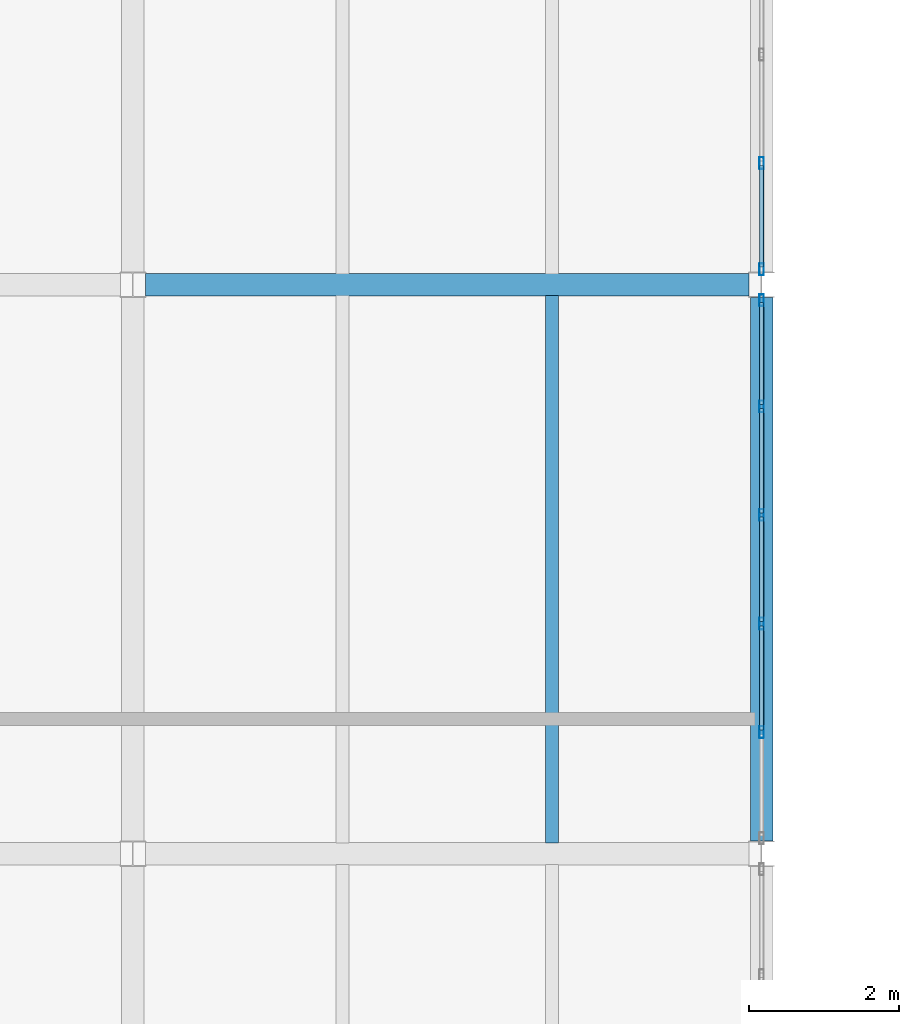
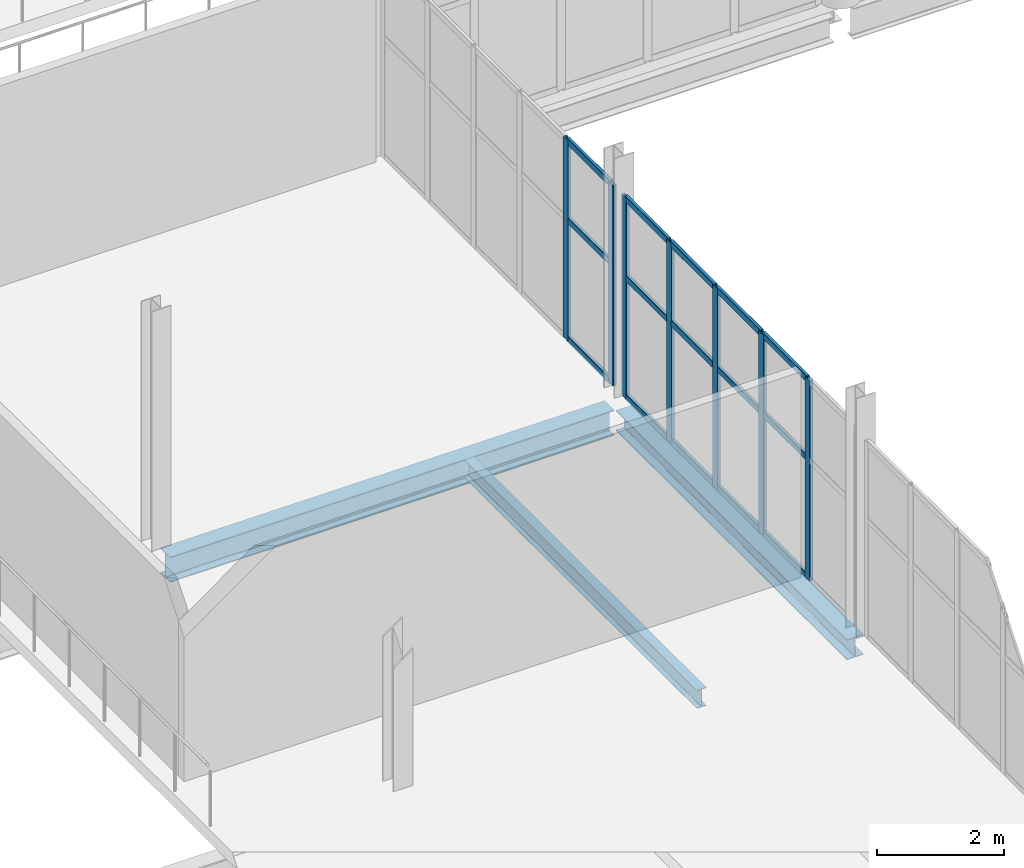
# One storey, part 28 of 136: 22 members, 3 beams, 2 elements without a shape of their own.
"""IFC4 building model written with IfcOpenShell, lengths in metres."""

from ifc_helpers import new_model, si_unit, direction, frame, origin, origin_2d, place, context, subcontext, project, spatial, hollow_rectangle, i_section, extrude, material, material_profile, profile_set, type_object, element, aggregate, save


model = new_model("IFC4")

# Units and contexts
model_context = context("Model", 3, precision=1e-05, world=origin(), true_north=direction((0.0, 1.0)))
body_context = subcontext(model_context, "Body", "Model", "MODEL_VIEW")
ifc_project = project(units=[si_unit("LENGTHUNIT", "METRE"), si_unit("AREAUNIT", "SQUARE_METRE"), si_unit("VOLUMEUNIT", "CUBIC_METRE"), si_unit("PLANEANGLEUNIT", "RADIAN"), si_unit("MASSUNIT", "GRAM", prefix="KILO")], contexts=[model_context])

# Site, building, storey
site_placement = place(None, origin())
site = spatial("IfcSite", under=ifc_project, at=site_placement, CompositionType="ELEMENT")
building_placement = place(site_placement, origin())
building = spatial("IfcBuilding", under=site, at=building_placement, Name="Shengluoqiao Park Theatre", CompositionType="ELEMENT")
storey_placement = place(building_placement, frame((0.0, 0.0, 10.0)))
storey = spatial("IfcBuildingStorey", under=building, at=storey_placement, Name="L02", CompositionType="ELEMENT", Elevation=10.0)

# Curtain wall, members
ifc_material_1 = material(Name="Aluminium 6063-T6", Category="aluminium")
curtain_wall_type = type_object("IfcCurtainWallType", Name="ENV-CW-COURT", PredefinedType="NOTDEFINED", material=ifc_material_1)
curtain_wall_1_placement = place(storey_placement, origin())
curtain_wall_1 = element("IfcCurtainWall", 1, at=curtain_wall_1_placement, inside=storey, type_object=curtain_wall_type, Name="L02 Curtain Wall CWX-L02-0028", PredefinedType="NOTDEFINED")
ifc_material_profile_1 = material_profile(ifc_material_1, hollow_rectangle(XDim=0.06005859375, YDim=0.159912109375, WallThickness=0.00390625, InnerFilletRadius=0.00390625, OuterFilletRadius=0.008056640625, at=origin_2d()), Name="ALU MULLION 160x60x4")
ifc_profile_set_1 = profile_set([ifc_material_profile_1], Name="Aluminium 6063-T6")
member_type_1 = type_object("IfcMemberType", Name="ENV-MUL-160", PredefinedType="MULLION", material=ifc_profile_set_1)
member_1_placement = place(storey_placement, frame((36.0, 39.62548828125, 0.0), z_axis=(0.0, 0.0, 1.0), x_axis=(-1.0, 0.0, 0.0)))
member_1 = element("IfcMember", 2, at=member_1_placement, type_object=member_type_1, Name="CW-05 mullion 2", PredefinedType="MULLION", context=body_context, shape_type="SweptSolid", body=[
    extrude(hollow_rectangle(XDim=0.06005859375, YDim=0.159912109375, WallThickness=0.00390625, InnerFilletRadius=0.00390625, OuterFilletRadius=0.008056640625, at=origin_2d()), origin(), (0.0, 0.0, 1.0), 3.85009765625),
])
member_2_placement = place(storey_placement, frame((36.0, 41.0751953125, 0.0), z_axis=(0.0, 0.0, 1.0), x_axis=(-1.0, 0.0, 0.0)))
member_2 = element("IfcMember", 3, at=member_2_placement, type_object=member_type_1, Name="CW-05 mullion 3", PredefinedType="MULLION", context=body_context, shape_type="SweptSolid", body=[
    extrude(hollow_rectangle(XDim=0.06005859375, YDim=0.159912109375, WallThickness=0.00390625, InnerFilletRadius=0.00390625, OuterFilletRadius=0.008056640625, at=origin_2d()), origin(), (0.0, 0.0, 1.0), 3.85009765625),
])
member_3_placement = place(storey_placement, frame((36.0, 42.52490234375, 0.0), z_axis=(0.0, 0.0, 1.0), x_axis=(-1.0, 0.0, 0.0)))
member_3 = element("IfcMember", 4, at=member_3_placement, type_object=member_type_1, Name="CW-05 mullion 4", PredefinedType="MULLION", context=body_context, shape_type="SweptSolid", body=[
    extrude(hollow_rectangle(XDim=0.06005859375, YDim=0.159912109375, WallThickness=0.00390625, InnerFilletRadius=0.00390625, OuterFilletRadius=0.008056640625, at=origin_2d()), origin(), (0.0, 0.0, 1.0), 3.85009765625),
])
member_4_placement = place(storey_placement, frame((36.0, 43.974365234375, 0.0), z_axis=(0.0, 0.0, 1.0), x_axis=(-1.0, 0.0, 0.0)))
member_4 = element("IfcMember", 5, at=member_4_placement, type_object=member_type_1, Name="CW-05 mullion 5", PredefinedType="MULLION", context=body_context, shape_type="SweptSolid", body=[
    extrude(hollow_rectangle(XDim=0.06005859375, YDim=0.159912109375, WallThickness=0.00390625, InnerFilletRadius=0.00390625, OuterFilletRadius=0.008056640625, at=origin_2d()), origin(), (0.0, 0.0, 1.0), 3.85009765625),
])
member_5_placement = place(storey_placement, frame((36.0, 45.39404296875, 0.0), z_axis=(0.0, 0.0, 1.0), x_axis=(-1.0, 0.0, 0.0)))
member_5 = element("IfcMember", 6, at=member_5_placement, type_object=member_type_1, Name="CW-05 mullion 6", PredefinedType="MULLION", context=body_context, shape_type="SweptSolid", body=[
    extrude(hollow_rectangle(XDim=0.06005859375, YDim=0.159912109375, WallThickness=0.00390625, InnerFilletRadius=0.00390625, OuterFilletRadius=0.008056640625, at=origin_2d()), origin(), (0.0, 0.0, 1.0), 3.85009765625),
])

curtain_wall_2_placement = place(storey_placement, origin())
curtain_wall_2 = element("IfcCurtainWall", 7, at=curtain_wall_2_placement, inside=storey, type_object=curtain_wall_type, Name="L02 Curtain Wall CWX-L02-0029", PredefinedType="NOTDEFINED")
member_6_placement = place(storey_placement, frame((36.0, 45.805908203125, 0.0), z_axis=(0.0, 0.0, 1.0), x_axis=(-1.0, 0.0, 0.0)))
member_6 = element("IfcMember", 8, at=member_6_placement, type_object=member_type_1, Name="CW-05 mullion 1", PredefinedType="MULLION", context=body_context, shape_type="SweptSolid", body=[
    extrude(hollow_rectangle(XDim=0.06005859375, YDim=0.159912109375, WallThickness=0.00390625, InnerFilletRadius=0.00390625, OuterFilletRadius=0.008056640625, at=origin_2d()), origin(), (0.0, 0.0, 1.0), 3.85009765625),
])
member_7_placement = place(storey_placement, frame((36.0, 47.2255859375, 0.0), z_axis=(0.0, 0.0, 1.0), x_axis=(-1.0, 0.0, 0.0)))
member_7 = element("IfcMember", 9, at=member_7_placement, type_object=member_type_1, Name="CW-05 mullion 2", PredefinedType="MULLION", context=body_context, shape_type="SweptSolid", body=[
    extrude(hollow_rectangle(XDim=0.06005859375, YDim=0.159912109375, WallThickness=0.00390625, InnerFilletRadius=0.00390625, OuterFilletRadius=0.008056640625, at=origin_2d()), origin(), (0.0, 0.0, 1.0), 3.85009765625),
])

# Member
ifc_material_profile_2 = material_profile(ifc_material_1, hollow_rectangle(XDim=0.06005859375, YDim=0.1201171875, WallThickness=0.00390625, InnerFilletRadius=0.00390625, OuterFilletRadius=0.008056640625, at=origin_2d()), Name="ALU TRANSOM 120x60x4")
ifc_profile_set_2 = profile_set([ifc_material_profile_2], Name="Aluminium 6063-T6")
member_type_2 = type_object("IfcMemberType", Name="ENV-TRN-120", PredefinedType="USERDEFINED", material=ifc_profile_set_2)
member_8_placement = place(storey_placement, frame((36.0, 39.655517578125, 0.030029296875), z_axis=(0.0, 1.0, 0.0), x_axis=(-1.0, 0.0, 0.0)))
member_8 = element("IfcMember", 10, at=member_8_placement, type_object=member_type_2, Name="CW-05 transom 2.1", ObjectType="TRANSOM", PredefinedType="USERDEFINED", context=body_context, shape_type="SweptSolid", body=[
    extrude(hollow_rectangle(XDim=0.06005859375, YDim=0.1201171875, WallThickness=0.00390625, InnerFilletRadius=0.00390625, OuterFilletRadius=0.008056640625, at=origin_2d()), origin(), (0.0, 0.0, 1.0), 1.3896484375),
])

member_9_placement = place(storey_placement, frame((36.0, 39.655517578125, 2.31005859375), z_axis=(0.0, 1.0, 0.0), x_axis=(-1.0, 0.0, 0.0)))
member_9 = element("IfcMember", 11, at=member_9_placement, type_object=member_type_2, Name="CW-05 transom 2.2", ObjectType="TRANSOM", PredefinedType="USERDEFINED", context=body_context, shape_type="SweptSolid", body=[
    extrude(hollow_rectangle(XDim=0.06005859375, YDim=0.1201171875, WallThickness=0.00390625, InnerFilletRadius=0.00390625, OuterFilletRadius=0.008056640625, at=origin_2d()), origin(), (0.0, 0.0, 1.0), 1.3896484375),
])

member_10_placement = place(storey_placement, frame((36.0, 39.655517578125, 3.820068359375), z_axis=(0.0, 1.0, 0.0), x_axis=(-1.0, 0.0, 0.0)))
member_10 = element("IfcMember", 12, at=member_10_placement, type_object=member_type_2, Name="CW-05 transom 2.3", ObjectType="TRANSOM", PredefinedType="USERDEFINED", context=body_context, shape_type="SweptSolid", body=[
    extrude(hollow_rectangle(XDim=0.06005859375, YDim=0.1201171875, WallThickness=0.00390625, InnerFilletRadius=0.00390625, OuterFilletRadius=0.008056640625, at=origin_2d()), origin(), (0.0, 0.0, 1.0), 1.3896484375),
])

member_11_placement = place(storey_placement, frame((36.0, 41.105224609375, 0.030029296875), z_axis=(0.0, 1.0, 0.0), x_axis=(-1.0, 0.0, 0.0)))
member_11 = element("IfcMember", 13, at=member_11_placement, type_object=member_type_2, Name="CW-05 transom 3.1", ObjectType="TRANSOM", PredefinedType="USERDEFINED", context=body_context, shape_type="SweptSolid", body=[
    extrude(hollow_rectangle(XDim=0.06005859375, YDim=0.1201171875, WallThickness=0.00390625, InnerFilletRadius=0.00390625, OuterFilletRadius=0.008056640625, at=origin_2d()), origin(), (0.0, 0.0, 1.0), 1.3896484375),
])

member_12_placement = place(storey_placement, frame((36.0, 41.105224609375, 2.31005859375), z_axis=(0.0, 1.0, 0.0), x_axis=(-1.0, 0.0, 0.0)))
member_12 = element("IfcMember", 14, at=member_12_placement, type_object=member_type_2, Name="CW-05 transom 3.2", ObjectType="TRANSOM", PredefinedType="USERDEFINED", context=body_context, shape_type="SweptSolid", body=[
    extrude(hollow_rectangle(XDim=0.06005859375, YDim=0.1201171875, WallThickness=0.00390625, InnerFilletRadius=0.00390625, OuterFilletRadius=0.008056640625, at=origin_2d()), origin(), (0.0, 0.0, 1.0), 1.3896484375),
])

member_13_placement = place(storey_placement, frame((36.0, 41.105224609375, 3.820068359375), z_axis=(0.0, 1.0, 0.0), x_axis=(-1.0, 0.0, 0.0)))
member_13 = element("IfcMember", 15, at=member_13_placement, type_object=member_type_2, Name="CW-05 transom 3.3", ObjectType="TRANSOM", PredefinedType="USERDEFINED", context=body_context, shape_type="SweptSolid", body=[
    extrude(hollow_rectangle(XDim=0.06005859375, YDim=0.1201171875, WallThickness=0.00390625, InnerFilletRadius=0.00390625, OuterFilletRadius=0.008056640625, at=origin_2d()), origin(), (0.0, 0.0, 1.0), 1.3896484375),
])

member_14_placement = place(storey_placement, frame((36.0, 42.5546875, 0.030029296875), z_axis=(0.0, 1.0, 0.0), x_axis=(-1.0, 0.0, 0.0)))
member_14 = element("IfcMember", 16, at=member_14_placement, type_object=member_type_2, Name="CW-05 transom 4.1", ObjectType="TRANSOM", PredefinedType="USERDEFINED", context=body_context, shape_type="SweptSolid", body=[
    extrude(hollow_rectangle(XDim=0.06005859375, YDim=0.1201171875, WallThickness=0.00390625, InnerFilletRadius=0.00390625, OuterFilletRadius=0.008056640625, at=origin_2d()), origin(), (0.0, 0.0, 1.0), 1.3896484375),
])

member_15_placement = place(storey_placement, frame((36.0, 42.5546875, 2.31005859375), z_axis=(0.0, 1.0, 0.0), x_axis=(-1.0, 0.0, 0.0)))
member_15 = element("IfcMember", 17, at=member_15_placement, type_object=member_type_2, Name="CW-05 transom 4.2", ObjectType="TRANSOM", PredefinedType="USERDEFINED", context=body_context, shape_type="SweptSolid", body=[
    extrude(hollow_rectangle(XDim=0.06005859375, YDim=0.1201171875, WallThickness=0.00390625, InnerFilletRadius=0.00390625, OuterFilletRadius=0.008056640625, at=origin_2d()), origin(), (0.0, 0.0, 1.0), 1.3896484375),
])

member_16_placement = place(storey_placement, frame((36.0, 42.5546875, 3.820068359375), z_axis=(0.0, 1.0, 0.0), x_axis=(-1.0, 0.0, 0.0)))
member_16 = element("IfcMember", 18, at=member_16_placement, type_object=member_type_2, Name="CW-05 transom 4.3", ObjectType="TRANSOM", PredefinedType="USERDEFINED", context=body_context, shape_type="SweptSolid", body=[
    extrude(hollow_rectangle(XDim=0.06005859375, YDim=0.1201171875, WallThickness=0.00390625, InnerFilletRadius=0.00390625, OuterFilletRadius=0.008056640625, at=origin_2d()), origin(), (0.0, 0.0, 1.0), 1.3896484375),
])

member_17_placement = place(storey_placement, frame((36.0, 44.00439453125, 0.030029296875), z_axis=(0.0, 1.0, 0.0), x_axis=(-1.0, 0.0, 0.0)))
member_17 = element("IfcMember", 19, at=member_17_placement, type_object=member_type_2, Name="CW-05 transom 5.1", ObjectType="TRANSOM", PredefinedType="USERDEFINED", context=body_context, shape_type="SweptSolid", body=[
    extrude(hollow_rectangle(XDim=0.06005859375, YDim=0.1201171875, WallThickness=0.00390625, InnerFilletRadius=0.00390625, OuterFilletRadius=0.008056640625, at=origin_2d()), origin(), (0.0, 0.0, 1.0), 1.359619140625),
])

member_18_placement = place(storey_placement, frame((36.0, 44.00439453125, 2.31005859375), z_axis=(0.0, 1.0, 0.0), x_axis=(-1.0, 0.0, 0.0)))
member_18 = element("IfcMember", 20, at=member_18_placement, type_object=member_type_2, Name="CW-05 transom 5.2", ObjectType="TRANSOM", PredefinedType="USERDEFINED", context=body_context, shape_type="SweptSolid", body=[
    extrude(hollow_rectangle(XDim=0.06005859375, YDim=0.1201171875, WallThickness=0.00390625, InnerFilletRadius=0.00390625, OuterFilletRadius=0.008056640625, at=origin_2d()), origin(), (0.0, 0.0, 1.0), 1.359619140625),
])

member_19_placement = place(storey_placement, frame((36.0, 44.00439453125, 3.820068359375), z_axis=(0.0, 1.0, 0.0), x_axis=(-1.0, 0.0, 0.0)))
member_19 = element("IfcMember", 21, at=member_19_placement, type_object=member_type_2, Name="CW-05 transom 5.3", ObjectType="TRANSOM", PredefinedType="USERDEFINED", context=body_context, shape_type="SweptSolid", body=[
    extrude(hollow_rectangle(XDim=0.06005859375, YDim=0.1201171875, WallThickness=0.00390625, InnerFilletRadius=0.00390625, OuterFilletRadius=0.008056640625, at=origin_2d()), origin(), (0.0, 0.0, 1.0), 1.359619140625),
])

aggregate(curtain_wall_1, [member_1, member_2, member_3, member_4, member_5, member_8, member_9, member_10, member_11, member_12, member_13, member_14, member_15, member_16, member_17, member_18, member_19])

member_20_placement = place(storey_placement, frame((36.0, 45.8359375, 0.030029296875), z_axis=(0.0, 1.0, 0.0), x_axis=(-1.0, 0.0, 0.0)))
member_20 = element("IfcMember", 22, at=member_20_placement, type_object=member_type_2, Name="CW-05 transom 1.1", ObjectType="TRANSOM", PredefinedType="USERDEFINED", context=body_context, shape_type="SweptSolid", body=[
    extrude(hollow_rectangle(XDim=0.06005859375, YDim=0.1201171875, WallThickness=0.00390625, InnerFilletRadius=0.00390625, OuterFilletRadius=0.008056640625, at=origin_2d()), origin(), (0.0, 0.0, 1.0), 1.359619140625),
])

member_21_placement = place(storey_placement, frame((36.0, 45.8359375, 2.31005859375), z_axis=(0.0, 1.0, 0.0), x_axis=(-1.0, 0.0, 0.0)))
member_21 = element("IfcMember", 23, at=member_21_placement, type_object=member_type_2, Name="CW-05 transom 1.2", ObjectType="TRANSOM", PredefinedType="USERDEFINED", context=body_context, shape_type="SweptSolid", body=[
    extrude(hollow_rectangle(XDim=0.06005859375, YDim=0.1201171875, WallThickness=0.00390625, InnerFilletRadius=0.00390625, OuterFilletRadius=0.008056640625, at=origin_2d()), origin(), (0.0, 0.0, 1.0), 1.359619140625),
])

member_22_placement = place(storey_placement, frame((36.0, 45.8359375, 3.820068359375), z_axis=(0.0, 1.0, 0.0), x_axis=(-1.0, 0.0, 0.0)))
member_22 = element("IfcMember", 24, at=member_22_placement, type_object=member_type_2, Name="CW-05 transom 1.3", ObjectType="TRANSOM", PredefinedType="USERDEFINED", context=body_context, shape_type="SweptSolid", body=[
    extrude(hollow_rectangle(XDim=0.06005859375, YDim=0.1201171875, WallThickness=0.00390625, InnerFilletRadius=0.00390625, OuterFilletRadius=0.008056640625, at=origin_2d()), origin(), (0.0, 0.0, 1.0), 1.359619140625),
])

aggregate(curtain_wall_2, [member_6, member_7, member_20, member_21, member_22])

# Beams
ifc_material_2 = material(Name="Steel Q355", Category="steel")
ifc_material_profile_3 = material_profile(ifc_material_2, i_section(OverallWidth=0.300048828125, OverallDepth=0.389892578125, WebThickness=0.010009765625, FlangeThickness=0.01611328125, FilletRadius=0.01806640625, at=origin_2d()), Name="HM 390x300x10x16")
ifc_profile_set_3 = profile_set([ifc_material_profile_3], Name="Steel Q355")
beam_type_1 = type_object("IfcBeamType", Name="STR-BM-G-HM390", PredefinedType="BEAM", material=ifc_profile_set_3)
beam_1_placement = place(storey_placement, frame((36.0, 38.1689453125, -0.43505859375), z_axis=(0.0, 1.0, 0.0), x_axis=(-1.0, 0.0, 0.0)))
element("IfcBeam", 25, at=beam_1_placement, inside=storey, type_object=beam_type_1, Name="L02 Transverse Girder 00884", PredefinedType="BEAM", context=body_context, shape_type="SweptSolid", body=[
    extrude(i_section(OverallWidth=0.300048828125, OverallDepth=0.389892578125, WebThickness=0.010009765625, FlangeThickness=0.01611328125, FilletRadius=0.01806640625, at=origin_2d()), origin(), (0.0, 0.0, 1.0), 7.261962890625),
])
ifc_material_profile_4 = material_profile(ifc_material_2, i_section(OverallWidth=0.300048828125, OverallDepth=0.488037109375, WebThickness=0.010986328125, FlangeThickness=0.01806640625, FilletRadius=0.02197265625, at=origin_2d()), Name="HM 488x300x11x18")
ifc_profile_set_4 = profile_set([ifc_material_profile_4], Name="Steel Q355")
beam_type_2 = type_object("IfcBeamType", Name="STR-BM-G-HM488", PredefinedType="BEAM", material=ifc_profile_set_4)
beam_2_placement = place(storey_placement, frame((27.76904296875, 45.60009765625, -0.48388671875), z_axis=(1.0, 0.0, 0.0), x_axis=(0.0, 1.0, 0.0)))
element("IfcBeam", 26, at=beam_2_placement, inside=storey, type_object=beam_type_2, Name="L02 Primary Girder 00878", PredefinedType="BEAM", context=body_context, shape_type="SweptSolid", body=[
    extrude(i_section(OverallWidth=0.300048828125, OverallDepth=0.488037109375, WebThickness=0.010986328125, FlangeThickness=0.01806640625, FilletRadius=0.02197265625, at=origin_2d()), origin(), (0.0, 0.0, 1.0), 8.06201171875),
])
ifc_material_profile_5 = material_profile(ifc_material_2, i_section(OverallWidth=0.175048828125, OverallDepth=0.35009765625, WebThickness=0.007080078125, FlangeThickness=0.010986328125, FilletRadius=0.013916015625, at=origin_2d()), Name="HN 350x175x7x11")
ifc_profile_set_5 = profile_set([ifc_material_profile_5], Name="Steel Q355")
beam_type_3 = type_object("IfcBeamType", Name="STR-BM-J-HN350", PredefinedType="JOIST", material=ifc_profile_set_5)
beam_3_placement = place(storey_placement, frame((33.199951171875, 38.14501953125, -0.4150390625), z_axis=(0.0, 1.0, 0.0), x_axis=(-1.0, 0.0, 0.0)))
element("IfcBeam", 27, at=beam_3_placement, inside=storey, type_object=beam_type_3, Name="L02 Composite Joist 00889", PredefinedType="JOIST", context=body_context, shape_type="SweptSolid", body=[
    extrude(i_section(OverallWidth=0.175048828125, OverallDepth=0.35009765625, WebThickness=0.007080078125, FlangeThickness=0.010986328125, FilletRadius=0.013916015625, at=origin_2d()), origin(), (0.0, 0.0, 1.0), 7.31005859375),
])

save(model, "model.ifc")
